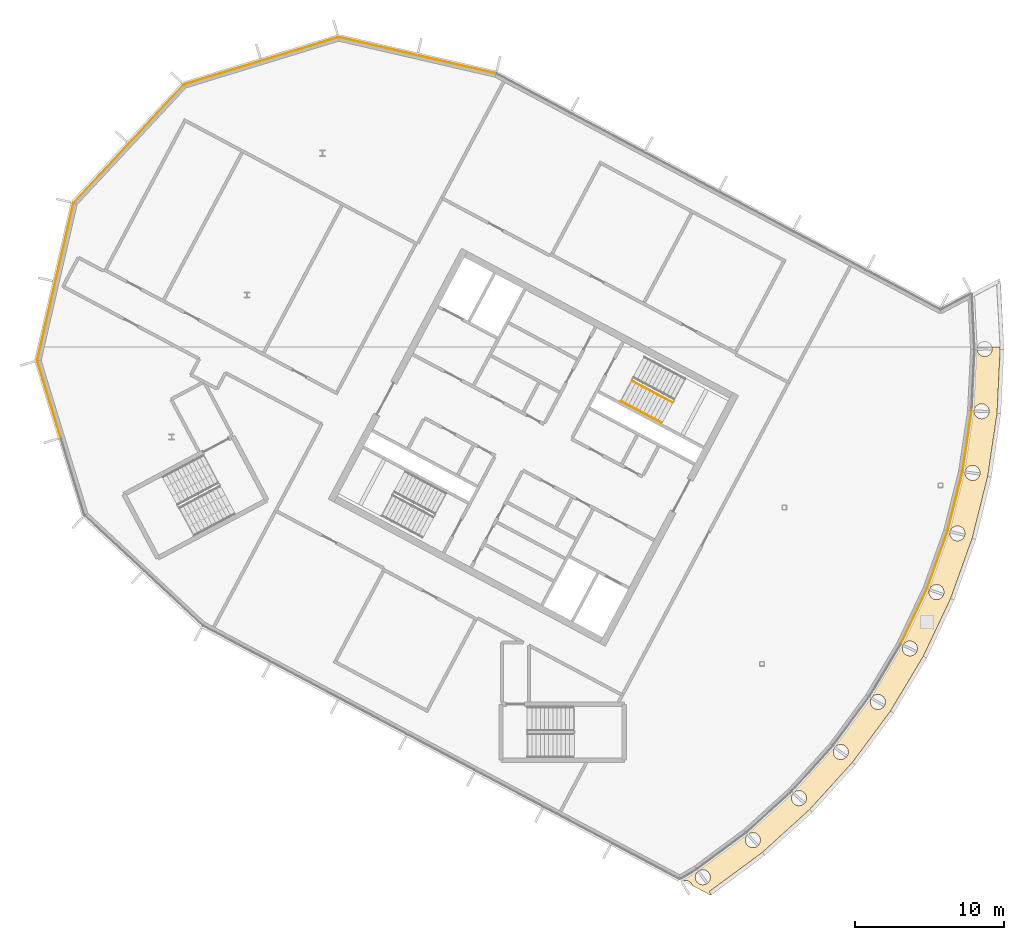
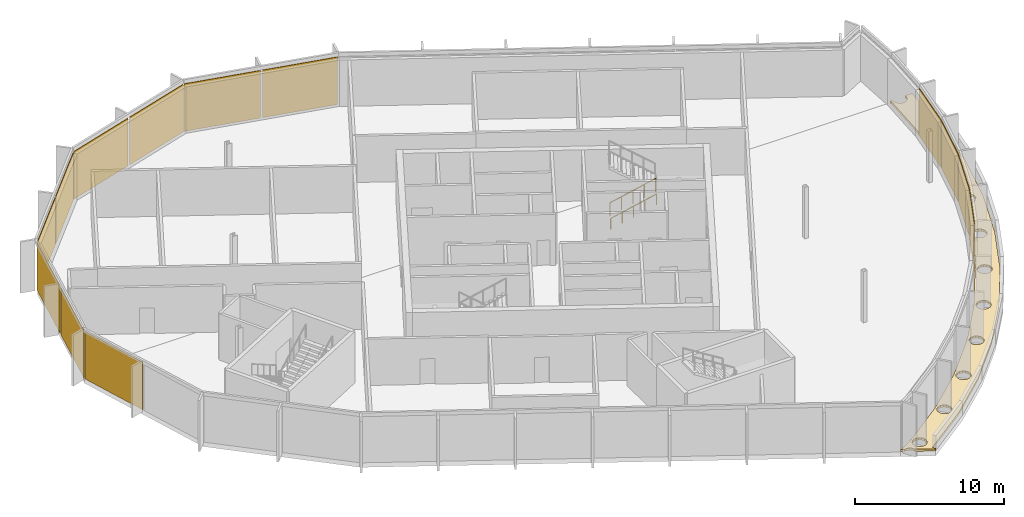
# One storey, part 13 of 15: 14 coverings, 2 railings, 9 elements without a shape of their own.
"""IFC4 building model written with IfcOpenShell, lengths in metres."""

from ifc_helpers import new_model, si_unit, direction, frame, origin, origin_2d, place, context, subcontext, project, spatial, polyline, rectangle, outline, extrude, material, layer, layer_set, type_object, element, aggregate, save


model = new_model("IFC4")

# Units and contexts
model_context = context("Model", 3, precision=1e-05, world=origin(), true_north=direction((0.0, 1.0)))
body_context = subcontext(model_context, "Body", "Model", "MODEL_VIEW")
ifc_project = project(units=[si_unit("LENGTHUNIT", "METRE"), si_unit("AREAUNIT", "SQUARE_METRE"), si_unit("VOLUMEUNIT", "CUBIC_METRE"), si_unit("PLANEANGLEUNIT", "RADIAN"), si_unit("MASSUNIT", "GRAM", prefix="KILO")], contexts=[model_context])

# Site, building, storey
site_placement = place(None, origin())
site = spatial("IfcSite", under=ifc_project, at=site_placement, CompositionType="ELEMENT")
building_placement = place(site_placement, origin())
building = spatial("IfcBuilding", under=site, at=building_placement, Name="Cormorant Relay Tower", CompositionType="ELEMENT")
storey_placement = place(building_placement, frame((0.0, 0.0, 336.60009765625)))
storey = spatial("IfcBuildingStorey", under=building, at=storey_placement, Name="C3", CompositionType="ELEMENT", Elevation=336.60009765625)

# Curtain wall, covering
ifc_material_1 = material(Name="Aluminium 6063-T6 anodised bronze", Category="aluminium")
ifc_layer_1 = layer(ifc_material_1, 0.199951171875)
ifc_layer_set_1 = layer_set([ifc_layer_1], Name="CW3 crown screen wall")
curtain_wall_type = type_object("IfcCurtainWallType", Name="CW3 crown screen wall", PredefinedType="NOTDEFINED", material=ifc_layer_set_1)
curtain_wall_1_placement = place(storey_placement, origin())
curtain_wall_1 = element("IfcCurtainWall", 1, at=curtain_wall_1_placement, inside=storey, type_object=curtain_wall_type, Name="CW3 curtain wall 8", PredefinedType="NOTDEFINED")
ifc_material_2 = material(Name="Perforated bronze anodised aluminium screen", Category="aluminium")
ifc_layer_2 = layer(ifc_material_2, 0.0400390625)
ifc_layer_set_2 = layer_set([ifc_layer_2], Name="CW3 perforated bronze screen panel 40")
covering_type_1 = type_object("IfcCoveringType", Name="CW3 perforated bronze screen panel 40", PredefinedType="CLADDING", material=ifc_layer_set_2)
covering_1_placement = place(storey_placement, frame((-1.776611328125, 3.2158203125, 0.0), z_axis=(0.0, 0.0, 1.0), x_axis=(0.42755509343, 0.903989293123, 0.0)))
covering_1 = element("IfcCovering", 2, at=covering_1_placement, type_object=covering_type_1, Name="CW3 panel X00", PredefinedType="CLADDING", context=body_context, shape_type="SweptSolid", body=[
    extrude(rectangle(XDim=4.046630859375, YDim=0.0400390625, at=origin_2d()), origin(), (0.0, 0.0, 1.0), 3.89990234375),
])
aggregate(curtain_wall_1, [covering_1])

curtain_wall_2_placement = place(storey_placement, origin())
curtain_wall_2 = element("IfcCurtainWall", 3, at=curtain_wall_2_placement, inside=storey, type_object=curtain_wall_type, Name="CW3 curtain wall 9", PredefinedType="NOTDEFINED")
covering_2_placement = place(storey_placement, frame((-0.2041015625, 7.0224609375, 0.0), z_axis=(0.0, 0.0, 1.0), x_axis=(0.336889853392, 0.941544065183, 0.0)))
covering_2 = element("IfcCovering", 4, at=covering_2_placement, type_object=covering_type_1, Name="CW3 panel X00", PredefinedType="CLADDING", context=body_context, shape_type="SweptSolid", body=[
    extrude(rectangle(XDim=4.046630859375, YDim=0.0400390625, at=origin_2d()), origin(), (0.0, 0.0, 1.0), 3.89990234375),
])
aggregate(curtain_wall_2, [covering_2])

curtain_wall_3_placement = place(storey_placement, origin())
curtain_wall_3 = element("IfcCurtainWall", 5, at=curtain_wall_3_placement, inside=storey, type_object=curtain_wall_type, Name="CW3 curtain wall 10", PredefinedType="NOTDEFINED")
covering_3_placement = place(storey_placement, frame((0.988037109375, 10.96484375, 0.0), z_axis=(0.0, 0.0, 1.0), x_axis=(0.242980179903, 0.970031253195, 0.0)))
covering_3 = element("IfcCovering", 6, at=covering_3_placement, type_object=covering_type_1, Name="CW3 panel X00", PredefinedType="CLADDING", context=body_context, shape_type="SweptSolid", body=[
    extrude(rectangle(XDim=4.046630859375, YDim=0.0400390625, at=origin_2d()), origin(), (0.0, 0.0, 1.0), 3.89990234375),
])
aggregate(curtain_wall_3, [covering_3])

curtain_wall_4_placement = place(storey_placement, origin())
curtain_wall_4 = element("IfcCurtainWall", 7, at=curtain_wall_4_placement, inside=storey, type_object=curtain_wall_type, Name="CW3 curtain wall 11", PredefinedType="NOTDEFINED")
covering_4_placement = place(storey_placement, frame((1.7880859375, 15.005126953125, 0.0), z_axis=(0.0, 0.0, 1.0), x_axis=(0.146730474455, 0.989176509965, 0.0)))
covering_4 = element("IfcCovering", 8, at=covering_4_placement, type_object=covering_type_1, Name="CW3 panel X00", PredefinedType="CLADDING", context=body_context, shape_type="SweptSolid", body=[
    extrude(rectangle(XDim=4.046630859375, YDim=0.0400390625, at=origin_2d()), origin(), (0.0, 0.0, 1.0), 3.89990234375),
])
aggregate(curtain_wall_4, [covering_4])

# Curtain wall, coverings
curtain_wall_5_placement = place(storey_placement, origin())
curtain_wall_5 = element("IfcCurtainWall", 9, at=curtain_wall_5_placement, inside=storey, type_object=curtain_wall_type, Name="CW3 curtain wall 16", PredefinedType="NOTDEFINED")
covering_5_placement = place(storey_placement, frame((-32.51708984375, 40.298828125, 0.0), z_axis=(0.0, 0.0, 1.0), x_axis=(-0.974370064785, 0.224951054344, 0.0)))
covering_5 = element("IfcCovering", 10, at=covering_5_placement, type_object=covering_type_1, Name="CW3 panel X00", PredefinedType="CLADDING", context=body_context, shape_type="SweptSolid", body=[
    extrude(rectangle(XDim=5.28515625, YDim=0.0400390625, at=origin_2d()), origin(), (0.0, 0.0, 1.0), 3.89990234375),
])
covering_6_placement = place(storey_placement, frame((-37.849609375, 41.530029296875, 0.0), z_axis=(0.0, 0.0, 1.0), x_axis=(-0.974370064785, 0.224951054344, 0.0)))
covering_6 = element("IfcCovering", 11, at=covering_6_placement, type_object=covering_type_1, Name="CW3 panel X01", PredefinedType="CLADDING", context=body_context, shape_type="SweptSolid", body=[
    extrude(rectangle(XDim=5.360107421875, YDim=0.0400390625, at=origin_2d()), origin(), (0.0, 0.0, 1.0), 3.89990234375),
])
aggregate(curtain_wall_5, [covering_5, covering_6])

curtain_wall_6_placement = place(storey_placement, origin())
curtain_wall_6 = element("IfcCurtainWall", 12, at=curtain_wall_6_placement, inside=storey, type_object=curtain_wall_type, Name="CW3 curtain wall 17", PredefinedType="NOTDEFINED")
covering_7_placement = place(storey_placement, frame((-43.0703125, 41.337890625, 0.0), z_axis=(0.0, 0.0, 1.0), x_axis=(-0.956304755963, -0.292371704723, 0.0)))
covering_7 = element("IfcCovering", 13, at=covering_7_placement, type_object=covering_type_1, Name="CW3 panel X00", PredefinedType="CLADDING", context=body_context, shape_type="SweptSolid", body=[
    extrude(rectangle(XDim=5.28515625, YDim=0.0400390625, at=origin_2d()), origin(), (0.0, 0.0, 1.0), 3.89990234375),
])
covering_8_placement = place(storey_placement, frame((-48.3037109375, 39.73779296875, 0.0), z_axis=(0.0, 0.0, 1.0), x_axis=(-0.956304755963, -0.292371704723, 0.0)))
covering_8 = element("IfcCovering", 14, at=covering_8_placement, type_object=covering_type_1, Name="CW3 panel X01", PredefinedType="CLADDING", context=body_context, shape_type="SweptSolid", body=[
    extrude(rectangle(XDim=5.360107421875, YDim=0.0400390625, at=origin_2d()), origin(), (0.0, 0.0, 1.0), 3.89990234375),
])
aggregate(curtain_wall_6, [covering_7, covering_8])

curtain_wall_7_placement = place(storey_placement, origin())
curtain_wall_7 = element("IfcCurtainWall", 15, at=curtain_wall_7_placement, inside=storey, type_object=curtain_wall_type, Name="CW3 curtain wall 18", PredefinedType="NOTDEFINED")
covering_9_placement = place(storey_placement, frame((-52.72900390625, 36.961181640625, 0.0), z_axis=(0.0, 0.0, 1.0), x_axis=(-0.681998360062, -0.731353701619, 0.0)))
covering_9 = element("IfcCovering", 16, at=covering_9_placement, type_object=covering_type_1, Name="CW3 panel X00", PredefinedType="CLADDING", context=body_context, shape_type="SweptSolid", body=[
    extrude(rectangle(XDim=5.28515625, YDim=0.0400390625, at=origin_2d()), origin(), (0.0, 0.0, 1.0), 3.89990234375),
])
covering_10_placement = place(storey_placement, frame((-56.461181640625, 32.958984375, 0.0), z_axis=(0.0, 0.0, 1.0), x_axis=(-0.681998360062, -0.731353701619, 0.0)))
covering_10 = element("IfcCovering", 17, at=covering_10_placement, type_object=covering_type_1, Name="CW3 panel X01", PredefinedType="CLADDING", context=body_context, shape_type="SweptSolid", body=[
    extrude(rectangle(XDim=5.360107421875, YDim=0.0400390625, at=origin_2d()), origin(), (0.0, 0.0, 1.0), 3.89990234375),
])
aggregate(curtain_wall_7, [covering_9, covering_10])

curtain_wall_8_placement = place(storey_placement, origin())
curtain_wall_8 = element("IfcCurtainWall", 18, at=curtain_wall_8_placement, inside=storey, type_object=curtain_wall_type, Name="CW3 curtain wall 19", PredefinedType="NOTDEFINED")
covering_11_placement = place(storey_placement, frame((-58.905517578125, 28.341796875, 0.0), z_axis=(0.0, 0.0, 1.0), x_axis=(-0.224951054344, -0.974370064785, 0.0)))
covering_11 = element("IfcCovering", 19, at=covering_11_placement, type_object=covering_type_1, Name="CW3 panel X00", PredefinedType="CLADDING", context=body_context, shape_type="SweptSolid", body=[
    extrude(rectangle(XDim=5.28515625, YDim=0.0400390625, at=origin_2d()), origin(), (0.0, 0.0, 1.0), 3.89990234375),
])
covering_12_placement = place(storey_placement, frame((-60.136474609375, 23.00927734375, 0.0), z_axis=(0.0, 0.0, 1.0), x_axis=(-0.224951054344, -0.974370064785, 0.0)))
covering_12 = element("IfcCovering", 20, at=covering_12_placement, type_object=covering_type_1, Name="CW3 panel X01", PredefinedType="CLADDING", context=body_context, shape_type="SweptSolid", body=[
    extrude(rectangle(XDim=5.360107421875, YDim=0.0400390625, at=origin_2d()), origin(), (0.0, 0.0, 1.0), 3.89990234375),
])
aggregate(curtain_wall_8, [covering_11, covering_12])

# Curtain wall, covering
curtain_wall_9_placement = place(storey_placement, origin())
curtain_wall_9 = element("IfcCurtainWall", 21, at=curtain_wall_9_placement, inside=storey, type_object=curtain_wall_type, Name="CW3 curtain wall 20", PredefinedType="NOTDEFINED")
covering_13_placement = place(storey_placement, frame((-59.9443359375, 17.78857421875, 0.0), z_axis=(0.0, 0.0, 1.0), x_axis=(0.292371704723, -0.956304755963, 0.0)))
covering_13 = element("IfcCovering", 22, at=covering_13_placement, type_object=covering_type_1, Name="CW3 panel X00", PredefinedType="CLADDING", context=body_context, shape_type="SweptSolid", body=[
    extrude(rectangle(XDim=5.28515625, YDim=0.0400390625, at=origin_2d()), origin(), (0.0, 0.0, 1.0), 3.89990234375),
])
aggregate(curtain_wall_9, [covering_13])

# Covering
ifc_material_3 = material(Name="Bituminous waterproof membrane on mineral wool insulation")
ifc_layer_3 = layer(ifc_material_3, 0.179931640625)
ifc_layer_set_3 = layer_set([ifc_layer_3], Name="Roof membrane and insulation 180")
covering_type_2 = type_object("IfcCoveringType", Name="Roof membrane and insulation 180", PredefinedType="ROOFING", material=ifc_layer_set_3)
covering_14_placement = place(storey_placement, origin())
element("IfcCovering", 23, at=covering_14_placement, inside=storey, type_object=covering_type_2, Name="Roof membrane", PredefinedType="ROOFING", context=body_context, shape_type="SweptSolid", body=[
    extrude(outline(polyline([(-15.461669921875, -15.562744140625), (-16.681396484375, -14.914306640625), (-16.689453125, -14.873291015625), (-16.800048828125, -14.70751953125), (-16.9658203125, -14.596923828125), (-17.160888671875, -14.55810546875), (-17.29931640625, -14.585693359375), (-17.519775390625, -14.468505859375), (-17.464599609375, -14.435546875), (-17.439208984375, -14.4775390625), (-16.364501953125, -13.833251953125), (-16.39013671875, -13.790283203125), (-16.345947265625, -13.757568359375), (-16.316650390625, -13.797119140625), (-13.05029296875, -11.37451171875), (-13.080078125, -11.334228515625), (-13.039306640625, -11.29736328125), (-13.00634765625, -11.33349609375), (-9.9931640625, -8.6025390625), (-10.026611328125, -8.5654296875), (-9.98974609375, -8.52490234375), (-9.95361328125, -8.5576171875), (-7.222412109375, -5.54443359375), (-7.259521484375, -5.510986328125), (-7.226806640625, -5.466796875), (-7.1875, -5.495849609375), (-4.764892578125, -2.2294921875), (-4.804931640625, -2.19970703125), (-4.776611328125, -2.152587890625), (-4.734619140625, -2.177734375), (-2.643798828125, 1.310302734375), (-2.686767578125, 1.336181640625), (-2.6630859375, 1.385986328125), (-2.618896484375, 1.364990234375), (-0.880126953125, 5.041259765625), (-0.92529296875, 5.0625), (-0.906982421875, 5.114501953125), (-0.86083984375, 5.097900390625), (0.50927734375, 8.927001953125), (0.462158203125, 8.943603515625), (0.4755859375, 8.9970703125), (0.523193359375, 8.985107421875), (1.51123046875, 12.929931640625), (1.462890625, 12.942138671875), (1.470703125, 12.99658203125), (1.519287109375, 12.989501953125), (2.115966796875, 17.011962890625), (2.066650390625, 17.019287109375), (2.0693359375, 17.07421875), (2.118408203125, 17.072021484375), (2.31787109375, 21.1337890625), (2.267822265625, 21.13623046875), (2.26513671875, 21.191162109375), (2.314208984375, 21.193603515625), (2.308837890625, 21.300048828125), (2.48388671875, 21.300048828125), (2.456298828125, 21.16064453125), (2.4951171875, 20.96533203125), (2.605712890625, 20.7998046875), (2.771240234375, 20.689208984375), (2.966552734375, 20.650390625), (3.16162109375, 20.689208984375), (3.327392578125, 20.7998046875), (3.43798828125, 20.96533203125), (3.476806640625, 21.16064453125), (3.448974609375, 21.300048828125), (3.997314453125, 21.300048828125), (4.007080078125, 21.125732421875), (3.79638671875, 16.8388671875), (3.16650390625, 12.593017578125), (2.123779296875, 8.42919921875), (0.677490234375, 4.3876953125), (-1.15771484375, 0.507568359375), (-3.364501953125, -3.17431640625), (-5.92138671875, -6.6220703125), (-8.803955078125, -9.802490234375), (-11.984375, -12.684814453125), (-15.5537109375, -15.316650390625), (-15.3994140625, -15.525390625), (-15.461669921875, -15.562744140625)]), holes=[polyline([(2.764404296875, 16.465087890625), (2.95947265625, 16.50390625), (3.125, 16.614501953125), (3.235595703125, 16.780029296875), (3.2744140625, 16.97509765625), (3.235595703125, 17.17041015625), (3.125, 17.3359375), (2.95947265625, 17.446533203125), (2.764404296875, 17.4853515625), (2.569091796875, 17.446533203125), (2.403564453125, 17.3359375), (2.29296875, 17.17041015625), (2.254150390625, 16.97509765625), (2.29296875, 16.780029296875), (2.403564453125, 16.614501953125), (2.569091796875, 16.50390625), (2.764404296875, 16.465087890625)]), polyline([(2.15283203125, 12.319580078125), (2.347900390625, 12.3583984375), (2.513671875, 12.468994140625), (2.624267578125, 12.634521484375), (2.6630859375, 12.82958984375), (2.624267578125, 13.02490234375), (2.513671875, 13.1904296875), (2.347900390625, 13.301025390625), (2.15283203125, 13.33984375), (1.95751953125, 13.301025390625), (1.7919921875, 13.1904296875), (1.681396484375, 13.02490234375), (1.642578125, 12.82958984375), (1.681396484375, 12.634521484375), (1.7919921875, 12.468994140625), (1.95751953125, 12.3583984375), (2.15283203125, 12.319580078125)]), polyline([(1.137939453125, 8.25390625), (1.3330078125, 8.292724609375), (1.498779296875, 8.4033203125), (1.609375, 8.569091796875), (1.648193359375, 8.76416015625), (1.609375, 8.95947265625), (1.498779296875, 9.125), (1.3330078125, 9.235595703125), (1.137939453125, 9.2744140625), (0.942626953125, 9.235595703125), (0.777099609375, 9.125), (0.66650390625, 8.95947265625), (0.627685546875, 8.76416015625), (0.66650390625, 8.569091796875), (0.777099609375, 8.4033203125), (0.942626953125, 8.292724609375), (1.137939453125, 8.25390625)]), polyline([(-0.2705078125, 4.3076171875), (-0.075439453125, 4.34619140625), (0.090087890625, 4.456787109375), (0.20068359375, 4.62255859375), (0.239501953125, 4.817626953125), (0.20068359375, 5.012939453125), (0.090087890625, 5.178466796875), (-0.075439453125, 5.2890625), (-0.2705078125, 5.327880859375), (-0.4658203125, 5.2890625), (-0.63134765625, 5.178466796875), (-0.741943359375, 5.012939453125), (-0.78076171875, 4.817626953125), (-0.741943359375, 4.62255859375), (-0.63134765625, 4.456787109375), (-0.4658203125, 4.34619140625), (-0.2705078125, 4.3076171875)]), polyline([(-2.05908203125, 0.51806640625), (-1.864013671875, 0.556884765625), (-1.698486328125, 0.66748046875), (-1.587890625, 0.8330078125), (-1.549072265625, 1.0283203125), (-1.587890625, 1.223388671875), (-1.698486328125, 1.38916015625), (-1.864013671875, 1.499755859375), (-2.05908203125, 1.53857421875), (-2.25439453125, 1.499755859375), (-2.419921875, 1.38916015625), (-2.530517578125, 1.223388671875), (-2.5693359375, 1.0283203125), (-2.530517578125, 0.8330078125), (-2.419921875, 0.66748046875), (-2.25439453125, 0.556884765625), (-2.05908203125, 0.51806640625)]), polyline([(-4.21044921875, -3.077880859375), (-4.015380859375, -3.0390625), (-3.849609375, -2.928466796875), (-3.739013671875, -2.7626953125), (-3.7001953125, -2.567626953125), (-3.739013671875, -2.372314453125), (-3.849609375, -2.206787109375), (-4.015380859375, -2.09619140625), (-4.21044921875, -2.057373046875), (-4.40576171875, -2.09619140625), (-4.5712890625, -2.206787109375), (-4.681884765625, -2.372314453125), (-4.720703125, -2.567626953125), (-4.681884765625, -2.7626953125), (-4.5712890625, -2.928466796875), (-4.40576171875, -3.0390625), (-4.21044921875, -3.077880859375)]), polyline([(-6.7041015625, -6.445556640625), (-6.5087890625, -6.40673828125), (-6.34326171875, -6.296142578125), (-6.232666015625, -6.130615234375), (-6.19384765625, -5.935302734375), (-6.232666015625, -5.739990234375), (-6.34326171875, -5.574462890625), (-6.5087890625, -5.4638671875), (-6.7041015625, -5.425048828125), (-6.899169921875, -5.4638671875), (-7.064697265625, -5.574462890625), (-7.17529296875, -5.739990234375), (-7.214111328125, -5.935302734375), (-7.17529296875, -6.130615234375), (-7.064697265625, -6.296142578125), (-6.899169921875, -6.40673828125), (-6.7041015625, -6.445556640625)]), polyline([(-9.515380859375, -9.552490234375), (-9.3203125, -9.513916015625), (-9.15478515625, -9.4033203125), (-9.044189453125, -9.237548828125), (-9.00537109375, -9.04248046875), (-9.044189453125, -8.84716796875), (-9.15478515625, -8.681640625), (-9.3203125, -8.571044921875), (-9.515380859375, -8.5322265625), (-9.710693359375, -8.571044921875), (-9.876220703125, -8.681640625), (-9.98681640625, -8.84716796875), (-10.025634765625, -9.04248046875), (-9.98681640625, -9.237548828125), (-9.876220703125, -9.4033203125), (-9.710693359375, -9.513916015625), (-9.515380859375, -9.552490234375)]), polyline([(-12.617919921875, -12.369140625), (-12.4228515625, -12.330322265625), (-12.257080078125, -12.2197265625), (-12.146484375, -12.05419921875), (-12.10791015625, -11.85888671875), (-12.146484375, -11.663818359375), (-12.257080078125, -11.498046875), (-12.4228515625, -11.387451171875), (-12.617919921875, -11.3486328125), (-12.813232421875, -11.387451171875), (-12.978759765625, -11.498046875), (-13.08935546875, -11.663818359375), (-13.128173828125, -11.85888671875), (-13.08935546875, -12.05419921875), (-12.978759765625, -12.2197265625), (-12.813232421875, -12.330322265625), (-12.617919921875, -12.369140625)]), polyline([(-15.981689453125, -14.867919921875), (-15.78662109375, -14.8291015625), (-15.620849609375, -14.718505859375), (-15.51025390625, -14.552978515625), (-15.471435546875, -14.357666015625), (-15.51025390625, -14.16259765625), (-15.620849609375, -13.996826171875), (-15.78662109375, -13.88623046875), (-15.981689453125, -13.847412109375), (-16.177001953125, -13.88623046875), (-16.342529296875, -13.996826171875), (-16.453125, -14.16259765625), (-16.491943359375, -14.357666015625), (-16.453125, -14.552978515625), (-16.342529296875, -14.718505859375), (-16.177001953125, -14.8291015625), (-15.981689453125, -14.867919921875)])]), origin(), (0.0, 0.0, 1.0), 0.179931640625),
])

# Railings
ifc_material_4 = material(Name="Steel ASTM A572 Grade 50 (Fy 345 MPa)", Category="steel")
railing_type_1 = type_object("IfcRailingType", Name="Stair guard 1100", PredefinedType="GUARDRAIL", material=ifc_material_4)
railing_1_placement = place(storey_placement, frame((-20.75048828125, 19.017822265625, 0.1748046875)))
element("IfcRailing", 24, at=railing_1_placement, inside=storey, type_object=railing_type_1, Name="C3 A1 stair guard 1", PredefinedType="GUARDRAIL", context=body_context, shape_type="SweptSolid", body=[
    extrude(outline(polyline([(0.022216796875, 0.00927734375), (0.00927734375, 0.022216796875), (-0.00927734375, 0.022216796875), (-0.022216796875, 0.00927734375), (-0.022216796875, -0.00927734375), (-0.00927734375, -0.022216796875), (0.00927734375, -0.022216796875), (0.022216796875, -0.00927734375), (0.022216796875, 0.00927734375)])), frame((0.0, 0.0, 1.076171875), z_axis=(0.748747275397, -0.39806817173, 0.530018158408), x_axis=(0.469427602063, 0.882970965786, 0.0)), (0.0, 0.0, 1.0), 3.632080078125),
    extrude(outline(polyline([(0.019287109375, 0.008056640625), (0.008056640625, 0.019287109375), (-0.008056640625, 0.019287109375), (-0.019287109375, 0.008056640625), (-0.019287109375, -0.008056640625), (-0.008056640625, -0.019287109375), (0.008056640625, -0.019287109375), (0.019287109375, -0.008056640625), (0.019287109375, 0.008056640625)])), origin(), (0.0, 0.0, 1.0), 1.052001953125),
    extrude(outline(polyline([(0.019287109375, 0.008056640625), (0.008056640625, 0.019287109375), (-0.008056640625, 0.019287109375), (-0.019287109375, 0.008056640625), (-0.019287109375, -0.008056640625), (-0.008056640625, -0.019287109375), (0.008056640625, -0.019287109375), (0.019287109375, -0.008056640625), (0.019287109375, 0.008056640625)])), frame((0.679931640625, -0.361328125, 0.481201171875)), (0.0, 0.0, 1.0), 1.052001953125),
    extrude(outline(polyline([(0.019287109375, 0.008056640625), (0.008056640625, 0.019287109375), (-0.008056640625, 0.019287109375), (-0.019287109375, 0.008056640625), (-0.019287109375, -0.008056640625), (-0.008056640625, -0.019287109375), (0.008056640625, -0.019287109375), (0.019287109375, -0.008056640625), (0.019287109375, 0.008056640625)])), frame((1.35986328125, -0.722900390625, 0.96240234375)), (0.0, 0.0, 1.0), 1.052001953125),
    extrude(outline(polyline([(0.019287109375, 0.008056640625), (0.008056640625, 0.019287109375), (-0.008056640625, 0.019287109375), (-0.019287109375, 0.008056640625), (-0.019287109375, -0.008056640625), (-0.008056640625, -0.019287109375), (0.008056640625, -0.019287109375), (0.019287109375, -0.008056640625), (0.019287109375, 0.008056640625)])), frame((2.03955078125, -1.08447265625, 1.44384765625)), (0.0, 0.0, 1.0), 1.052001953125),
    extrude(outline(polyline([(0.019287109375, 0.008056640625), (0.008056640625, 0.019287109375), (-0.008056640625, 0.019287109375), (-0.019287109375, 0.008056640625), (-0.019287109375, -0.008056640625), (-0.008056640625, -0.019287109375), (0.008056640625, -0.019287109375), (0.019287109375, -0.008056640625), (0.019287109375, 0.008056640625)])), frame((2.719482421875, -1.44580078125, 1.925048828125)), (0.0, 0.0, 1.0), 1.052001953125),
])
ifc_material_5 = material(Name="Steel ASTM A572 Grade 50 (Fy 345 MPa)", Category="steel")
railing_type_2 = type_object("IfcRailingType", Name="Stair handrail 900", PredefinedType="HANDRAIL", material=ifc_material_5)
railing_2_placement = place(storey_placement, frame((-21.478271484375, 17.6494140625, 0.1748046875)))
element("IfcRailing", 25, at=railing_2_placement, inside=storey, type_object=railing_type_2, Name="C3 A1 stair handrail 1", PredefinedType="HANDRAIL", context=body_context, shape_type="SweptSolid", body=[
    extrude(outline(polyline([(0.022216796875, 0.00927734375), (0.00927734375, 0.022216796875), (-0.00927734375, 0.022216796875), (-0.022216796875, 0.00927734375), (-0.022216796875, -0.00927734375), (-0.00927734375, -0.022216796875), (0.00927734375, -0.022216796875), (0.022216796875, -0.00927734375), (0.022216796875, 0.00927734375)])), frame((0.0, 0.0, 0.8759765625), z_axis=(0.748727239859, -0.398124736663, 0.530003975787), x_axis=(0.469489399267, 0.882938108802, 0.0)), (0.0, 0.0, 1.0), 3.632080078125),
    extrude(outline(polyline([(0.019287109375, 0.008056640625), (0.008056640625, 0.019287109375), (-0.008056640625, 0.019287109375), (-0.019287109375, 0.008056640625), (-0.019287109375, -0.008056640625), (-0.008056640625, -0.019287109375), (0.008056640625, -0.019287109375), (0.019287109375, -0.008056640625), (0.019287109375, 0.008056640625)])), origin(), (0.0, 0.0, 1.0), 0.851806640625),
    extrude(outline(polyline([(0.019287109375, 0.008056640625), (0.008056640625, 0.019287109375), (-0.008056640625, 0.019287109375), (-0.019287109375, 0.008056640625), (-0.019287109375, -0.008056640625), (-0.008056640625, -0.019287109375), (0.008056640625, -0.019287109375), (0.019287109375, -0.008056640625), (0.019287109375, 0.008056640625)])), frame((0.679931640625, -0.361572265625, 0.481201171875)), (0.0, 0.0, 1.0), 0.851806640625),
    extrude(outline(polyline([(0.019287109375, 0.008056640625), (0.008056640625, 0.019287109375), (-0.008056640625, 0.019287109375), (-0.019287109375, 0.008056640625), (-0.019287109375, -0.008056640625), (-0.008056640625, -0.019287109375), (0.008056640625, -0.019287109375), (0.019287109375, -0.008056640625), (0.019287109375, 0.008056640625)])), frame((1.35986328125, -0.72314453125, 0.96240234375)), (0.0, 0.0, 1.0), 0.851806640625),
    extrude(outline(polyline([(0.019287109375, 0.008056640625), (0.008056640625, 0.019287109375), (-0.008056640625, 0.019287109375), (-0.019287109375, 0.008056640625), (-0.019287109375, -0.008056640625), (-0.008056640625, -0.019287109375), (0.008056640625, -0.019287109375), (0.019287109375, -0.008056640625), (0.019287109375, 0.008056640625)])), frame((2.03955078125, -1.08447265625, 1.44384765625)), (0.0, 0.0, 1.0), 0.851806640625),
    extrude(outline(polyline([(0.019287109375, 0.008056640625), (0.008056640625, 0.019287109375), (-0.008056640625, 0.019287109375), (-0.019287109375, 0.008056640625), (-0.019287109375, -0.008056640625), (-0.008056640625, -0.019287109375), (0.008056640625, -0.019287109375), (0.019287109375, -0.008056640625), (0.019287109375, 0.008056640625)])), frame((2.719482421875, -1.446044921875, 1.925048828125)), (0.0, 0.0, 1.0), 0.851806640625),
])

save(model, "model.ifc")
